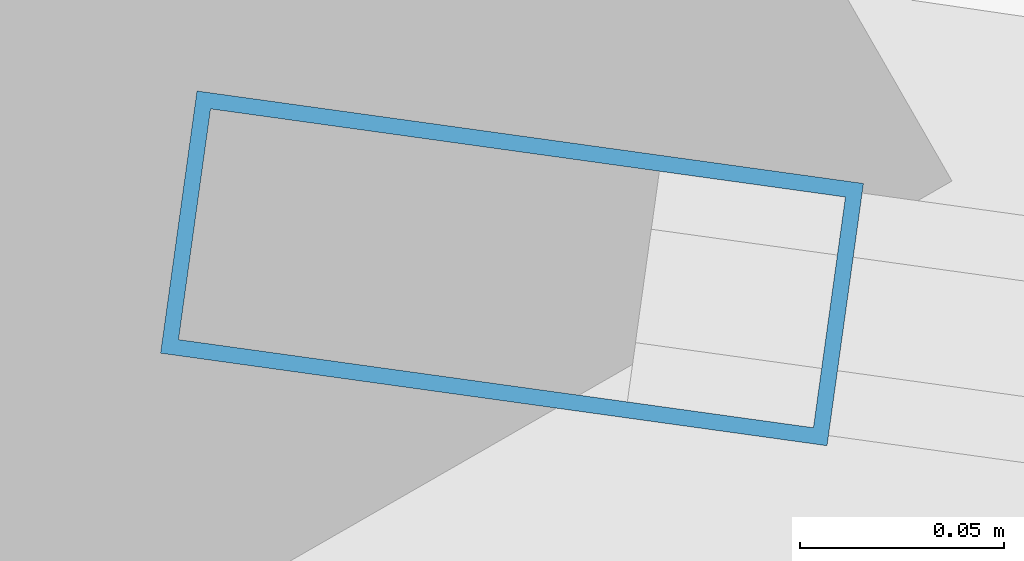
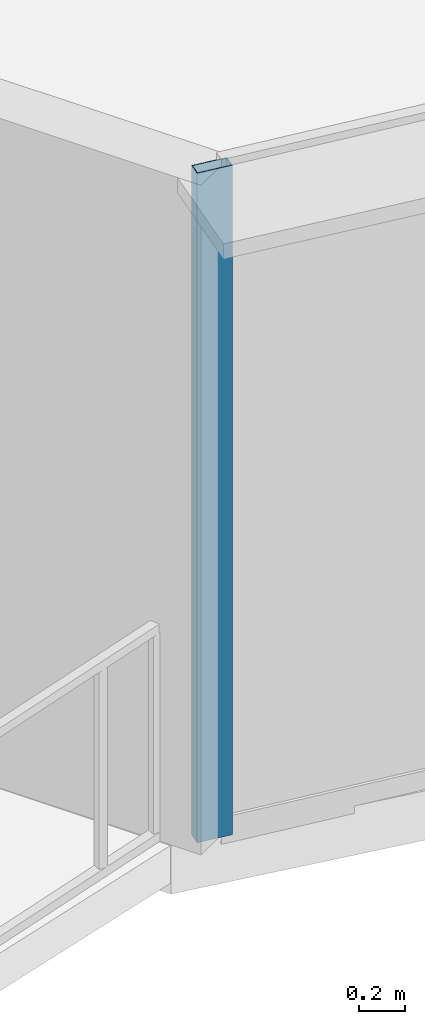
# One storey, part 2 of 37: 1 member, 1 element without a shape of its own.
"""IFC4 building model written with IfcOpenShell, lengths in metres."""

import ifcopenshell
import ifcopenshell.guid

model = None  # the IFC model being written
_history = None  # IfcOwnerHistory: only IFC2X3 demands one
_inside = {}  # id of a spatial element -> (the spatial element, [elements in it])
_under = {}  # id of a project, library or spatial element -> (it, [spatial elements below it])
_declared = {}  # id of a project -> (the project, [libraries it declares])
_typed = {}  # id of a type object -> (the type object, [elements of that type])
_made_of = {}  # id of a material, layer set ... -> (it, [elements and type objects made of it])


def new_model(schema):
    """Start an empty IFC model of exactly this schema.

    Asked for "IFC4X3", IfcOpenShell would pick the latest addendum, in which some entities
    have other attributes; the version numbers below select the first issue.
    IFC2X3 requires an IfcOwnerHistory on every rooted entity: one is made here for all.
    """
    global model, _history
    if schema == "IFC4X3":
        model = ifcopenshell.file(schema_version=(4, 3, 0, 0))
    else:
        model = ifcopenshell.file(schema=schema)
    _inside.clear()
    _under.clear()
    _declared.clear()
    _typed.clear()
    _made_of.clear()
    _history = None
    if model.schema == "IFC2X3":
        org = make("IfcOrganization", Name="unknown")
        user = make(
            "IfcPersonAndOrganization",
            ThePerson=make("IfcPerson", FamilyName="unknown"),
            TheOrganization=org,
        )
        app = make(
            "IfcApplication",
            ApplicationDeveloper=org,
            Version="unknown",
            ApplicationFullName="unknown",
            ApplicationIdentifier="unknown",
        )
        _history = make(
            "IfcOwnerHistory",
            OwningUser=user,
            OwningApplication=app,
            ChangeAction="ADDED",
            CreationDate=0,
        )
    return model


def make(cls, **values):
    """One entity of the class cls with the attributes given. An attribute that is None is left unset."""
    return model.create_entity(
        cls, **{name: value for name, value in values.items() if value is not None}
    )


def rooted(cls, **values):
    """An entity with a GlobalId (a new one), such as an element, a storey or a relation."""
    return make(cls, GlobalId=ifcopenshell.guid.new(), OwnerHistory=_history, **values)


def si_unit(unit_type, name, prefix=None):
    """IfcSIUnit, for example si_unit("LENGTHUNIT", "METRE", prefix="MILLI")."""
    return make("IfcSIUnit", UnitType=unit_type, Prefix=prefix, Name=name)


def assignment(units):
    """IfcUnitAssignment: the units of a project."""
    return None if units is None else make("IfcUnitAssignment", Units=units)


def point(xyz):
    """IfcCartesianPoint."""
    return None if xyz is None else make("IfcCartesianPoint", Coordinates=xyz)


def direction(xyz):
    """IfcDirection."""
    return None if xyz is None else make("IfcDirection", DirectionRatios=xyz)


def frame(location, z_axis=None, x_axis=None):
    """IfcAxis2Placement3D, a coordinate frame: its origin and axes. An axis left out is left unset."""
    return make(
        "IfcAxis2Placement3D",
        Location=point(location),
        Axis=direction(z_axis),
        RefDirection=direction(x_axis),
    )


def frame_2d(location, x_axis=None):
    """IfcAxis2Placement2D, a coordinate frame in the plane: its origin and x axis."""
    return make(
        "IfcAxis2Placement2D", Location=point(location), RefDirection=direction(x_axis)
    )


def origin():
    """The frame at (0, 0, 0) with its axes left unset."""
    return frame((0.0, 0.0, 0.0))


def origin_2d():
    """The frame at (0, 0) in the plane with its x axis left unset."""
    return frame_2d((0.0, 0.0))


def place(relative_to, where):
    """IfcLocalPlacement: puts the frame where relative to a parent placement (None: the world)."""
    return make(
        "IfcLocalPlacement", PlacementRelTo=relative_to, RelativePlacement=where
    )


def context(
    kind, dimensions, precision=None, world=None, true_north=None, identifier=None
):
    """IfcGeometricRepresentationContext, for example the 3D "Model" context."""
    return make(
        "IfcGeometricRepresentationContext",
        ContextIdentifier=identifier,
        ContextType=kind,
        CoordinateSpaceDimension=dimensions,
        Precision=precision,
        WorldCoordinateSystem=world,
        TrueNorth=true_north,
    )


def subcontext(parent, identifier, kind, view, scale=None):
    """IfcGeometricRepresentationSubContext, for example "Body" below "Model"."""
    return make(
        "IfcGeometricRepresentationSubContext",
        ContextIdentifier=identifier,
        ContextType=kind,
        ParentContext=parent,
        TargetScale=scale,
        TargetView=view,
    )


def project(units=None, contexts=None):
    """IfcProject with its units and contexts."""
    return rooted(
        "IfcProject",
        Name="project",
        RepresentationContexts=contexts,
        UnitsInContext=assignment(units),
    )


def spatial(cls, under=None, at=None, **own):
    """A site, building, storey or space (cls), placed at a placement, below another one or the project."""
    s = rooted(cls, ObjectPlacement=at, **own)
    if under is not None:
        _under.setdefault(under.id(), (under, []))[1].append(s)
    return s


def profile(cls, at=None, kind="AREA", **sizes):
    """A parametric profile (cls). Its sizes go by their IFC names, for example OverallWidth=200.0."""
    return make(cls, ProfileType=kind, Position=at, **sizes)


def hollow_rectangle(**sizes):
    """IfcRectangleHollowProfileDef."""
    return profile("IfcRectangleHollowProfileDef", **sizes)


def extrude(swept, where, along, depth):
    """IfcExtrudedAreaSolid: the profile swept, set in the frame where, extruded along a direction by depth."""
    return make(
        "IfcExtrudedAreaSolid",
        SweptArea=swept,
        Position=where,
        ExtrudedDirection=direction(along),
        Depth=depth,
    )


def shape(context_of_items, identifier, shape_type, items):
    """IfcShapeRepresentation: the items that make up one representation, for example the "Body"."""
    return make(
        "IfcShapeRepresentation",
        ContextOfItems=context_of_items,
        RepresentationIdentifier=identifier,
        RepresentationType=shape_type,
        Items=items,
    )


def source(mapping_origin, context_of_items, identifier, shape_type, items):
    """IfcRepresentationMap: a shape defined once, which mapped items show again and again."""
    return make(
        "IfcRepresentationMap",
        MappingOrigin=mapping_origin,
        MappedRepresentation=shape(context_of_items, identifier, shape_type, items),
    )


def transform(
    local_origin,
    x_axis=None,
    y_axis=None,
    z_axis=None,
    scale=None,
    scale2=None,
    scale3=None,
    uniform=True,
):
    """IfcCartesianTransformationOperator3D, or its non-uniform kind. x_axis, y_axis, z_axis: its Axis1, 2, 3."""
    if uniform:
        return make(
            "IfcCartesianTransformationOperator3D",
            Axis1=direction(x_axis),
            Axis2=direction(y_axis),
            LocalOrigin=point(local_origin),
            Scale=scale,
            Axis3=direction(z_axis),
        )
    return make(
        "IfcCartesianTransformationOperator3DnonUniform",
        Axis1=direction(x_axis),
        Axis2=direction(y_axis),
        LocalOrigin=point(local_origin),
        Scale=scale,
        Axis3=direction(z_axis),
        Scale2=scale2,
        Scale3=scale3,
    )


def mapped(mapping_source, mapping_target):
    """IfcMappedItem: shows the shape of a source again, moved by a transform."""
    return make(
        "IfcMappedItem", MappingSource=mapping_source, MappingTarget=mapping_target
    )


def material(Name=None, Category=None):
    """IfcMaterial."""
    return make("IfcMaterial", Name=Name, Category=Category)


def layer(
    of_material, thickness, ventilated=None, Name=None, Category=None, Priority=None
):
    """IfcMaterialLayer: one layer of a wall or slab, of a material (None: an air gap)."""
    return make(
        "IfcMaterialLayer",
        Material=of_material,
        LayerThickness=thickness,
        IsVentilated=ventilated,
        Name=Name,
        Category=Category,
        Priority=Priority,
    )


def layer_set(layers, Name=None):
    """IfcMaterialLayerSet."""
    return make("IfcMaterialLayerSet", MaterialLayers=layers, LayerSetName=Name)


def material_profile(
    of_material, cross_section, Name=None, Category=None, Priority=None
):
    """IfcMaterialProfile: a cross section and its material."""
    return make(
        "IfcMaterialProfile",
        Name=Name,
        Material=of_material,
        Profile=cross_section,
        Priority=Priority,
        Category=Category,
    )


def profile_set(profiles, Name=None, composite=None):
    """IfcMaterialProfileSet."""
    return make(
        "IfcMaterialProfileSet",
        Name=Name,
        MaterialProfiles=profiles,
        CompositeProfile=composite,
    )


def made_of(thing, what):
    """Note that an element or type object is made of a material, layer set ...; save() writes the relation."""
    if what is not None:
        _made_of.setdefault(what.id(), (what, []))[1].append(thing)
    return thing


def type_object(cls, material=None, **own):
    """A type object (cls), such as IfcWallType, which elements share."""
    return made_of(rooted(cls, **own), material)


def element(
    cls,
    number,
    at=None,
    inside=None,
    cuts=None,
    type_object=None,
    material=None,
    context=None,
    identifier="Body",
    shape_type=None,
    held_by="IfcProductDefinitionShape",
    body=None,
    shapes=None,
    **own,
):
    """One element of the class cls, such as IfcWall. Its Tag is "e" and its number.

    at: its placement. inside: the storey or other place that contains it. cuts: it is an
    opening in that element (IfcRelVoidsElement). A single representation is given by context,
    identifier, shape_type and body (its items); several are given by shapes. held_by: the class
    of the entity that holds the representations. save() writes the other relations.
    """
    e = rooted(cls, Tag="e%d" % number, ObjectPlacement=at, **own)
    if body is not None:
        shapes = [shape(context, identifier, shape_type, body)]
    if shapes is not None:
        e.Representation = make(held_by, Representations=shapes)
    if inside is not None:
        _inside.setdefault(inside.id(), (inside, []))[1].append(e)
    if cuts is not None:
        rooted(
            "IfcRelVoidsElement", RelatingBuildingElement=cuts, RelatedOpeningElement=e
        )
    if type_object is not None:
        _typed.setdefault(type_object.id(), (type_object, []))[1].append(e)
    return made_of(e, material)


def aggregate(whole, parts):
    """IfcRelAggregates: a whole, such as a stair, and the parts it consists of."""
    return rooted("IfcRelAggregates", RelatingObject=whole, RelatedObjects=parts)


def save(model, path):
    """Write the relations noted so far, then the file.

    IfcRelAggregates (storeys below a building ...), IfcRelContainedInSpatialStructure (elements
    in a storey), IfcRelDefinesByType, IfcRelAssociatesMaterial and IfcRelDeclares: one each for
    every whole, place, type object, material and project.
    """
    for whole, parts in _under.values():
        aggregate(whole, parts)
    for where, things in _inside.values():
        rooted(
            "IfcRelContainedInSpatialStructure",
            RelatedElements=things,
            RelatingStructure=where,
        )
    for kind, things in _typed.values():
        rooted("IfcRelDefinesByType", RelatedObjects=things, RelatingType=kind)
    for what, things in _made_of.values():
        rooted("IfcRelAssociatesMaterial", RelatedObjects=things, RelatingMaterial=what)
    for by, libraries in _declared.values():
        rooted("IfcRelDeclares", RelatingContext=by, RelatedDefinitions=libraries)
    model.write(path)


model = new_model("IFC4")

# Units and contexts
model_context = context("Model", 3, precision=1e-05, world=origin(), true_north=direction((0.0, 1.0)))
body_context = subcontext(model_context, "Body", "Model", "MODEL_VIEW")
ifc_project = project(units=[si_unit("LENGTHUNIT", "METRE"), si_unit("AREAUNIT", "SQUARE_METRE"), si_unit("VOLUMEUNIT", "CUBIC_METRE"), si_unit("PLANEANGLEUNIT", "RADIAN"), si_unit("MASSUNIT", "GRAM", prefix="KILO"), si_unit("THERMODYNAMICTEMPERATUREUNIT", "KELVIN"), si_unit("POWERUNIT", "WATT")], contexts=[model_context])

# Site, building, storey
site_placement = place(None, origin())
site = spatial("IfcSite", under=ifc_project, at=site_placement, CompositionType="ELEMENT")
building_placement = place(site_placement, origin())
building = spatial("IfcBuilding", under=site, at=building_placement, Name="Yunzhuo Pagoda Commons", CompositionType="ELEMENT")
storey_placement = place(building_placement, frame((0.0, 0.0, 88.780029296875)))
storey = spatial("IfcBuildingStorey", under=building, at=storey_placement, Name="L22", CompositionType="ELEMENT", Elevation=88.780029296875)

# Curtain wall, member
ifc_material = material(Name="Anodized aluminium 6063-T6", Category="aluminium")
ifc_layer = layer(ifc_material, 0.1650390625)
ifc_layer_set = layer_set([ifc_layer], Name="Anodized aluminium 6063-T6")
curtain_wall_type = type_object("IfcCurtainWallType", Name="CW-LOW Low-Zone Ribbon Curtain Wall", PredefinedType="NOTDEFINED", material=ifc_layer_set)
curtain_wall_placement = place(storey_placement, origin())
curtain_wall = element("IfcCurtainWall", 1, at=curtain_wall_placement, inside=storey, type_object=curtain_wall_type, Name="L22 curtain wall CW-L22-F1B1", PredefinedType="NOTDEFINED")
ifc_material_profile = material_profile(ifc_material, hollow_rectangle(XDim=0.06494140625, YDim=0.1650390625, WallThickness=0.00390625, at=origin_2d()), Name="Anodized aluminium 6063-T6")
ifc_profile_set = profile_set([ifc_material_profile], Name="Anodized aluminium 6063-T6")
member_type = type_object("IfcMemberType", Name="CW-LOW-M Mullion RHS 165x65x4", PredefinedType="MULLION", material=ifc_profile_set)
shared_shape = source(origin(), body_context, "Body", "SweptSolid", [
    extrude(hollow_rectangle(XDim=0.06494140625, YDim=0.1650390625, WallThickness=0.00390625, at=origin_2d()), origin(), (0.0, 0.0, 1.0), 3.5400390625),
])
member_placement = place(storey_placement, frame((10.494873046875, 15.00634765625, 0.0), z_axis=(0.0, 0.0, 1.0), x_axis=(0.137495700118, 0.990502363677, 0.0)))
member = element("IfcMember", 2, at=member_placement, type_object=member_type, Name="CW mullion 1", PredefinedType="MULLION", context=body_context, shape_type="MappedRepresentation", body=[
    mapped(shared_shape, transform((0.0, 0.0, 0.0), scale=1.0)),
])
aggregate(curtain_wall, [member])

save(model, "model.ifc")
